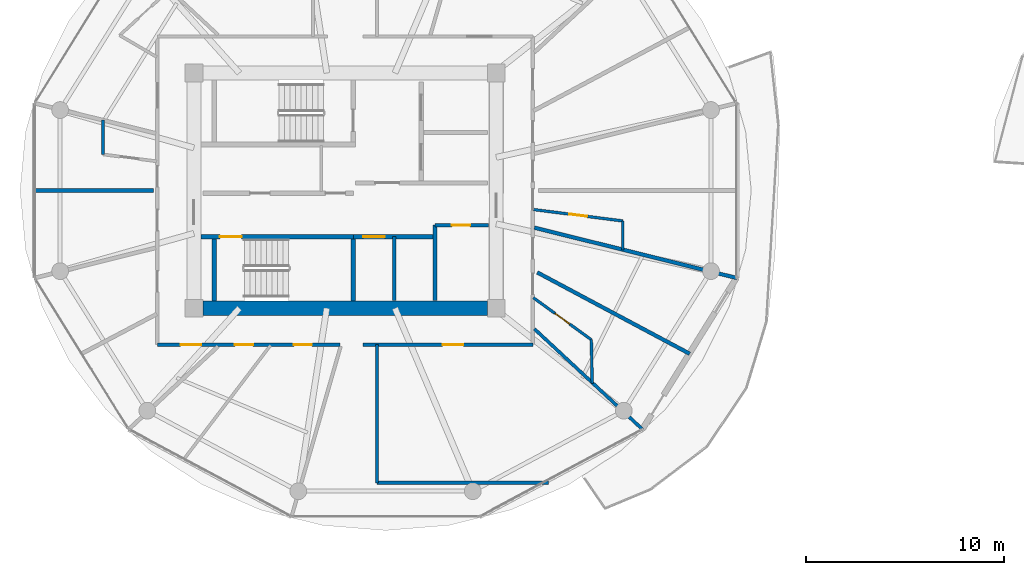
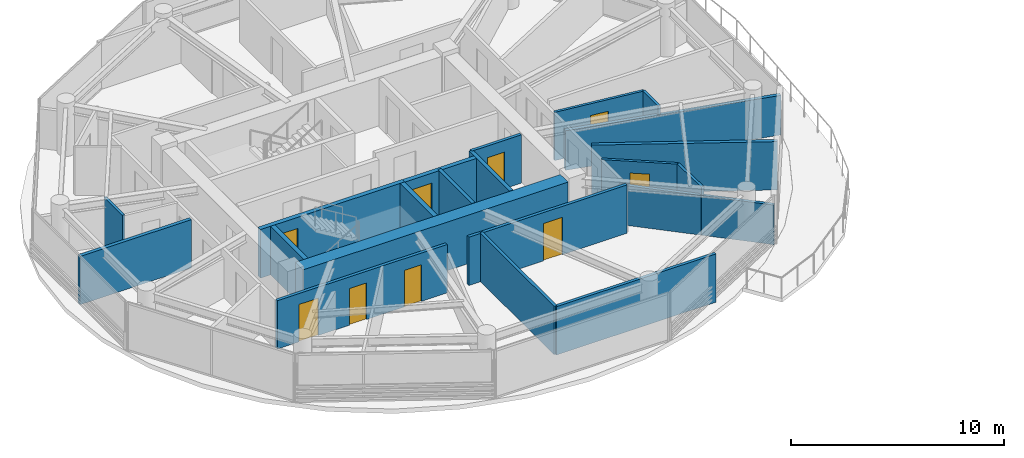
# One storey, part 13 of 22: 21 walls, 9 doors, 9 openings.
"""IFC4 building model written with IfcOpenShell, lengths in metres."""

from ifc_helpers import new_model, si_unit, direction, frame, frame_2d, origin, place, context, subcontext, project, spatial, rectangle, extrude, source, transform, mapped, material, layer, layer_set, type_object, type_shapes, element, fill, save


model = new_model("IFC4")

# Units and contexts
model_context = context("Model", 3, precision=1e-05, world=origin(), true_north=direction((0.0, 1.0)))
body_context = subcontext(model_context, "Body", "Model", "MODEL_VIEW")
ifc_project = project(units=[si_unit("LENGTHUNIT", "METRE"), si_unit("AREAUNIT", "SQUARE_METRE"), si_unit("VOLUMEUNIT", "CUBIC_METRE"), si_unit("PLANEANGLEUNIT", "RADIAN"), si_unit("MASSUNIT", "GRAM", prefix="KILO")], contexts=[model_context])

# Site, building, storey
site_placement = place(None, origin())
site = spatial("IfcSite", under=ifc_project, at=site_placement, CompositionType="ELEMENT")
building_placement = place(site_placement, origin())
building = spatial("IfcBuilding", under=site, at=building_placement, Name="Norrkilde Senior Care Towers", CompositionType="ELEMENT")
storey_placement = place(building_placement, frame((0.0, 0.0, 120.64990234375)))
storey = spatial("IfcBuildingStorey", under=building, at=storey_placement, Name="L37", CompositionType="ELEMENT", Elevation=120.64990234375)

# Walls
ifc_material_1 = material(Name="Concrete C60/75", Category="concrete")
ifc_layer_1 = layer(ifc_material_1, 0.719970703125)
ifc_layer_set_1 = layer_set([ifc_layer_1], Name="Concrete C60/75")
wall_type_1 = type_object("IfcWallType", Name="Core Shear Wall Z2 720", PredefinedType="SHEAR", material=ifc_layer_set_1)
shared_shape_1 = source(origin(), body_context, "Body", "SweptSolid", [
    extrude(rectangle(XDim=14.39990234375, YDim=0.719970703125, at=frame_2d((7.199951171875, 0.0))), origin(), (0.0, 0.0, 1.0), 2.7900390625),
])
type_shapes(wall_type_1, [shared_shape_1])
wall_1_placement = place(storey_placement, frame((-20.800048828125, -5.949951171875, 0.0), z_axis=(0.0, 0.0, 1.0), x_axis=(-1.0, 0.0, 0.0)))
element("IfcWall", 1, at=wall_1_placement, inside=storey, type_object=wall_type_1, Name="L37 Core W South Shear Wall", PredefinedType="SHEAR", context=body_context, shape_type="MappedRepresentation", body=[
    mapped(shared_shape_1, transform((0.0, 0.0, 0.0), x_axis=(1.0, 0.0, 0.0), y_axis=(0.0, 1.0, 0.0), z_axis=(0.0, 0.0, 1.0), scale=1.0)),
])
ifc_material_2 = material(Name="Concrete C45/55", Category="concrete")
ifc_layer_2 = layer(ifc_material_2, 0.199951171875)
ifc_layer_set_2 = layer_set([ifc_layer_2], Name="Concrete C45/55")
wall_type_2 = type_object("IfcWallType", Name="Shaft Division and Plant Partition 200", PredefinedType="PARTITIONING", material=ifc_layer_set_2)
shared_shape_2 = source(origin(), body_context, "Body", "SweptSolid", [
    extrude(rectangle(XDim=3.800048828125, YDim=0.199951171875, at=frame_2d((1.89990234375, 0.0))), origin(), (0.0, 0.0, 1.0), 2.775146484375),
])
type_shapes(wall_type_2, [shared_shape_2])
wall_2_placement = place(storey_placement, frame((-23.449951171875, -5.550048828125, 0.0), z_axis=(0.0, 0.0, 1.0), x_axis=(0.0, 1.0, 0.0)))
element("IfcWall", 2, at=wall_2_placement, inside=storey, type_object=wall_type_2, Name="WL-INT-L37-W-PKBE", PredefinedType="PARTITIONING", context=body_context, shape_type="MappedRepresentation", body=[
    mapped(shared_shape_2, transform((0.0, 0.0, 0.0), x_axis=(1.0, 0.0, 0.0), y_axis=(0.0, 1.0, 0.0), z_axis=(0.0, 0.0, 1.0), scale=1.0)),
])

# Wall, opening, door
ifc_layer_3 = layer(ifc_material_2, 0.239990234375)
ifc_layer_set_3 = layer_set([ifc_layer_3], Name="Concrete C45/55")
wall_type_3 = type_object("IfcWallType", Name="Lift and Plant Rated Enclosure Partition 240", PredefinedType="PARTITIONING", material=ifc_layer_set_3)
shared_shape_3 = source(origin(), body_context, "Body", "SweptSolid", [
    extrude(rectangle(XDim=4.130126953125, YDim=0.239990234375, at=frame_2d((2.06494140625, 0.0))), origin(), (0.0, 0.0, 1.0), 2.775146484375),
])
type_shapes(wall_type_3, [shared_shape_3])
wall_3_placement = place(storey_placement, frame((-27.580078125, -2.330078125, 0.0), z_axis=(0.0, 0.0, 1.0), x_axis=(1.0, 0.0, 0.0)))
wall_3 = element("IfcWall", 3, at=wall_3_placement, inside=storey, type_object=wall_type_3, Name="WL-INT-L37-W-PKBN", PredefinedType="PARTITIONING", context=body_context, shape_type="MappedRepresentation", body=[
    mapped(shared_shape_3, transform((0.0, 0.0, 0.0), x_axis=(1.0, 0.0, 0.0), y_axis=(0.0, 1.0, 0.0), z_axis=(0.0, 0.0, 1.0), scale=1.0)),
])
opening_1_placement = place(wall_3_placement, frame((0.5, 0.0, 0.0)))
opening_1 = element("IfcOpeningElement", 4, at=opening_1_placement, cuts=wall_3, Name="Opening LD-01", PredefinedType="OPENING", context=body_context, shape_type="SweptSolid", body=[
    extrude(rectangle(XDim=1.10009765625, YDim=2.199951171875, at=frame_2d((0.550048828125, 1.10009765625))), frame((0.0, 0.1298828125, 0.0), z_axis=(0.0, -1.0, 0.0), x_axis=(1.0, 0.0, 0.0)), (0.0, 0.0, 1.0), 0.260009765625),
])
ifc_material_3 = material(Name="Stainless Steel", Category="steel")
door_type_1 = type_object("IfcDoorType", Name="Lift Landing Sliding Door 1100x2200", OperationType="NOTDEFINED", PredefinedType="DOOR", material=ifc_material_3)
shared_shape_4 = source(origin(), body_context, "Body", "SweptSolid", [
    extrude(rectangle(XDim=1.10009765625, YDim=2.199951171875, at=frame_2d((0.550048828125, 1.10009765625))), frame((0.0, 0.02490234375, 0.0), z_axis=(0.0, -1.0, 0.0), x_axis=(1.0, 0.0, 0.0)), (0.0, 0.0, 1.0), 0.050048828125),
])
type_shapes(door_type_1, [shared_shape_4])
door_1_placement = place(opening_1_placement, frame((1.10009765625, 0.0, 0.0), z_axis=(0.0, 0.0, 1.0), x_axis=(-1.0, 0.0, 0.0)))
door_1 = element("IfcDoor", 5, at=door_1_placement, inside=storey, type_object=door_type_1, Name="L37 Passenger Lift W3 Landing Door", OperationType="SLIDING_TO_LEFT", OverallHeight=2.199951171875, OverallWidth=1.10009765625, PredefinedType="DOOR", context=body_context, shape_type="MappedRepresentation", body=[
    mapped(shared_shape_4, transform((0.0, 0.0, 0.0), x_axis=(1.0, 0.0, 0.0), y_axis=(0.0, 1.0, 0.0), z_axis=(0.0, 0.0, 1.0), scale=1.0)),
])
fill(opening_1, door_1)

# Wall
ifc_layer_4 = layer(ifc_material_2, 0.179931640625)
ifc_layer_set_4 = layer_set([ifc_layer_4], Name="Concrete C45/55")
wall_type_4 = type_object("IfcWallType", Name="Hoistway Division Rated Partition 180", PredefinedType="PARTITIONING", material=ifc_layer_set_4)
shared_shape_5 = source(origin(), body_context, "Body", "SweptSolid", [
    extrude(rectangle(XDim=3.219970703125, YDim=0.179931640625, at=frame_2d((1.60986328125, 0.0))), origin(), (0.0, 0.0, 1.0), 2.775146484375),
])
type_shapes(wall_type_4, [shared_shape_5])
wall_4_placement = place(storey_placement, frame((-25.5, -5.550048828125, 0.0), z_axis=(0.0, 0.0, 1.0), x_axis=(0.0, 1.0, 0.0)))
element("IfcWall", 6, at=wall_4_placement, inside=storey, type_object=wall_type_4, Name="WL-INT-L37-W-PL34", PredefinedType="PARTITIONING", context=body_context, shape_type="MappedRepresentation", body=[
    mapped(shared_shape_5, transform((0.0, 0.0, 0.0), x_axis=(1.0, 0.0, 0.0), y_axis=(0.0, 1.0, 0.0), z_axis=(0.0, 0.0, 1.0), scale=1.0)),
])

# Wall, opening, door
ifc_material_4 = material(Name="Gypsum Acoustic Board")
ifc_layer_5 = layer(ifc_material_4, 0.1650390625)
ifc_layer_set_5 = layer_set([ifc_layer_5], Name="Gypsum Acoustic Board")
wall_type_5 = type_object("IfcWallType", Name="Corridor Rated Partition 165", PredefinedType="PARTITIONING", material=ifc_layer_set_5)
shared_shape_6 = source(origin(), body_context, "Body", "SweptSolid", [
    extrude(rectangle(XDim=2.699951171875, YDim=0.1650390625, at=frame_2d((1.35009765625, 0.0))), origin(), (0.0, 0.0, 1.0), 2.775146484375),
])
wall_5_placement = place(storey_placement, frame((-23.449951171875, -1.75, 0.0), z_axis=(0.0, 0.0, 1.0), x_axis=(1.0, 0.0, 0.0)))
wall_5 = element("IfcWall", 7, at=wall_5_placement, inside=storey, type_object=wall_type_5, Name="WL-INT-L37-W-CSN", PredefinedType="PARTITIONING", context=body_context, shape_type="MappedRepresentation", body=[
    mapped(shared_shape_6, transform((0.0, 0.0, 0.0), x_axis=(1.0, 0.0, 0.0), y_axis=(0.0, 1.0, 0.0), z_axis=(0.0, 0.0, 1.0), scale=1.0)),
])
opening_2_placement = place(wall_5_placement, frame((0.85009765625, 0.0, 0.0)))
opening_2 = element("IfcOpeningElement", 8, at=opening_2_placement, cuts=wall_5, Name="Opening D-12", PredefinedType="OPENING", context=body_context, shape_type="SweptSolid", body=[
    extrude(rectangle(XDim=0.925048828125, YDim=2.10009765625, at=frame_2d((0.46240234375, 1.050048828125))), frame((0.0, 0.092529296875, 0.0), z_axis=(0.0, -1.0, 0.0), x_axis=(1.0, 0.0, 0.0)), (0.0, 0.0, 1.0), 0.18505859375),
])
ifc_material_5 = material(Name="Galvanised Painted Steel", Category="steel")
door_type_2 = type_object("IfcDoorType", Name="Core Wet Room Rated Door 925x2100", OperationType="NOTDEFINED", PredefinedType="DOOR", material=ifc_material_5)
shared_shape_7 = source(origin(), body_context, "Body", "SweptSolid", [
    extrude(rectangle(XDim=0.925048828125, YDim=2.10009765625, at=frame_2d((0.46240234375, 1.050048828125))), frame((0.0, 0.02490234375, 0.0), z_axis=(0.0, -1.0, 0.0), x_axis=(1.0, 0.0, 0.0)), (0.0, 0.0, 1.0), 0.050048828125),
])
type_shapes(door_type_2, [shared_shape_7])
door_2_placement = place(opening_2_placement, origin())
door_2 = element("IfcDoor", 9, at=door_2_placement, inside=storey, type_object=door_type_2, Name="L37 Core Utility W Door", OperationType="SINGLE_SWING_LEFT", OverallHeight=2.10009765625, OverallWidth=0.925048828125, PredefinedType="DOOR", context=body_context, shape_type="MappedRepresentation", body=[
    mapped(shared_shape_7, transform((0.0, 0.0, 0.0), x_axis=(1.0, 0.0, 0.0), y_axis=(0.0, 1.0, 0.0), z_axis=(0.0, 0.0, 1.0), scale=1.0)),
])
fill(opening_2, door_2)

ifc_layer_6 = layer(ifc_material_2, 0.239990234375)
ifc_layer_set_6 = layer_set([ifc_layer_6], Name="Concrete C45/55")
wall_type_6 = type_object("IfcWallType", Name="Shaft and Stair Enclosure Wall 240", PredefinedType="PARTITIONING", material=ifc_layer_set_6)
shared_shape_8 = source(origin(), body_context, "Body", "SweptSolid", [
    extrude(rectangle(XDim=7.830078125, YDim=0.239990234375, at=frame_2d((3.9150390625, 0.0))), origin(), (0.0, 0.0, 1.0), 2.7900390625),
])
wall_6_placement = place(storey_placement, frame((-35.2900390625, -2.330078125, 0.0), z_axis=(0.0, 0.0, 1.0), x_axis=(1.0, 0.0, 0.0)))
wall_6 = element("IfcWall", 10, at=wall_6_placement, inside=storey, type_object=wall_type_6, Name="WL-INT-L37-W-ST2N", PredefinedType="PARTITIONING", context=body_context, shape_type="MappedRepresentation", body=[
    mapped(shared_shape_8, transform((0.0, 0.0, 0.0), x_axis=(1.0, 0.0, 0.0), y_axis=(0.0, 1.0, 0.0), z_axis=(0.0, 0.0, 1.0), scale=1.0)),
])
opening_3_placement = place(wall_6_placement, frame((0.949951171875, 0.0, 0.0)))
opening_3 = element("IfcOpeningElement", 11, at=opening_3_placement, cuts=wall_6, Name="Opening D-03", PredefinedType="OPENING", context=body_context, shape_type="SweptSolid", body=[
    extrude(rectangle(XDim=1.10009765625, YDim=2.14990234375, at=frame_2d((0.550048828125, 1.074951171875))), frame((0.0, 0.1298828125, 0.0), z_axis=(0.0, -1.0, 0.0), x_axis=(1.0, 0.0, 0.0)), (0.0, 0.0, 1.0), 0.260009765625),
])
door_type_3 = type_object("IfcDoorType", Name="Stairwell Protected Fire Door 1100x2150", OperationType="NOTDEFINED", PredefinedType="DOOR", material=ifc_material_5)
shared_shape_9 = source(origin(), body_context, "Body", "SweptSolid", [
    extrude(rectangle(XDim=1.10009765625, YDim=2.14990234375, at=frame_2d((0.550048828125, 1.074951171875))), frame((0.0, 0.02490234375, 0.0), z_axis=(0.0, -1.0, 0.0), x_axis=(1.0, 0.0, 0.0)), (0.0, 0.0, 1.0), 0.050048828125),
])
type_shapes(door_type_3, [shared_shape_9])
door_3_placement = place(opening_3_placement, frame((1.10009765625, 0.0, 0.0), z_axis=(0.0, 0.0, 1.0), x_axis=(-1.0, 0.0, 0.0)))
door_3 = element("IfcDoor", 12, at=door_3_placement, inside=storey, type_object=door_type_3, Name="L37 Stair W2 Fire Door", OperationType="SINGLE_SWING_RIGHT", OverallHeight=2.14990234375, OverallWidth=1.10009765625, PredefinedType="DOOR", context=body_context, shape_type="MappedRepresentation", body=[
    mapped(shared_shape_9, transform((0.0, 0.0, 0.0), x_axis=(1.0, 0.0, 0.0), y_axis=(0.0, 1.0, 0.0), z_axis=(0.0, 0.0, 1.0), scale=1.0)),
])
fill(opening_3, door_3)

# Walls
shared_shape_10 = source(origin(), body_context, "Body", "SweptSolid", [
    extrude(rectangle(XDim=3.14013671875, YDim=0.239990234375, at=frame_2d((1.570068359375, 0.0))), origin(), (0.0, 0.0, 1.0), 2.7900390625),
])
type_shapes(wall_type_6, [shared_shape_8, shared_shape_10])
for number, where, z_axis, x_axis, name in (
    (13, (-34.6201171875, -5.590087890625, 0.0), (0.0, 0.0, 1.0), (0.0, 1.0, 0.0), "WL-INT-L37-W-ST2W"),
    (14, (-27.580078125, -5.590087890625, 0.0), (0.0, 0.0, 1.0), (0.0, 1.0, 0.0), "WL-INT-L37-W-ST2E"),
):
    element("IfcWall", number, at=place(storey_placement, frame(where, z_axis=z_axis, x_axis=x_axis)), inside=storey, type_object=wall_type_6, Name=name, PredefinedType="PARTITIONING", context=body_context, shape_type="MappedRepresentation", body=[
        mapped(shared_shape_10, transform((0.0, 0.0, 0.0), x_axis=(1.0, 0.0, 0.0), y_axis=(0.0, 1.0, 0.0), z_axis=(0.0, 0.0, 1.0), scale=1.0)),
    ])
ifc_layer_7 = layer(ifc_material_4, 0.18994140625)
ifc_layer_set_7 = layer_set([ifc_layer_7], Name="Gypsum Acoustic Board")
wall_type_7 = type_object("IfcWallType", Name="Unit Demising Acoustic Wall 190", PredefinedType="PARTITIONING", material=ifc_layer_set_7)
shared_shape_11 = source(origin(), body_context, "Body", "SweptSolid", [
    extrude(rectangle(XDim=10.5556640625, YDim=0.18994140625, at=frame_2d((5.27783203125, 0.0))), origin(), (0.0, 0.0, 1.0), 2.275146484375),
])
wall_7_placement = place(storey_placement, frame((-18.419921875, -1.875, 0.0), z_axis=(0.0, 0.0, 1.0), x_axis=(0.970363857851, -0.241648470667, 0.0)))
element("IfcWall", 15, at=wall_7_placement, inside=storey, type_object=wall_type_7, Name="WL-INT-L37-W-DEM-11-0", PredefinedType="PARTITIONING", context=body_context, shape_type="MappedRepresentation", body=[
    mapped(shared_shape_11, transform((0.0, 0.0, 0.0), x_axis=(1.0, 0.0, 0.0), y_axis=(0.0, 1.0, 0.0), z_axis=(0.0, 0.0, 1.0), scale=1.0)),
])

# Wall, opening, door
shared_shape_12 = source(origin(), body_context, "Body", "SweptSolid", [
    extrude(rectangle(XDim=8.60009765625, YDim=0.1650390625, at=frame_2d((4.300048828125, 0.0))), origin(), (0.0, 0.0, 1.0), 2.775146484375),
])
wall_8_placement = place(storey_placement, frame((-18.5, -7.800048828125, 0.0), z_axis=(0.0, 0.0, 1.0), x_axis=(-1.0, 0.0, 0.0)))
wall_8 = element("IfcWall", 16, at=wall_8_placement, inside=storey, type_object=wall_type_5, Name="WL-INT-L37-W-CRW-S-0", PredefinedType="PARTITIONING", context=body_context, shape_type="MappedRepresentation", body=[
    mapped(shared_shape_12, transform((0.0, 0.0, 0.0), x_axis=(1.0, 0.0, 0.0), y_axis=(0.0, 1.0, 0.0), z_axis=(0.0, 0.0, 1.0), scale=1.0)),
])
opening_4_placement = place(wall_8_placement, frame((3.509033203125, 0.0, 0.0)))
opening_4 = element("IfcOpeningElement", 17, at=opening_4_placement, cuts=wall_8, Name="Opening D-06", PredefinedType="OPENING", context=body_context, shape_type="SweptSolid", body=[
    extrude(rectangle(XDim=1.050048828125, YDim=2.14990234375, at=frame_2d((0.52490234375, 1.074951171875))), frame((0.0, 0.092529296875, 0.0), z_axis=(0.0, -1.0, 0.0), x_axis=(1.0, 0.0, 0.0)), (0.0, 0.0, 1.0), 0.18505859375),
])
ifc_material_6 = material(Name="Nordic Ash Timber", Category="wood")
door_type_4 = type_object("IfcDoorType", Name="Apartment Entrance Fire Door 1050x2150", OperationType="NOTDEFINED", PredefinedType="DOOR", material=ifc_material_6)
shared_shape_13 = source(origin(), body_context, "Body", "SweptSolid", [
    extrude(rectangle(XDim=1.050048828125, YDim=2.14990234375, at=frame_2d((0.52490234375, 1.074951171875))), frame((0.0, 0.02490234375, 0.0), z_axis=(0.0, -1.0, 0.0), x_axis=(1.0, 0.0, 0.0)), (0.0, 0.0, 1.0), 0.050048828125),
])
type_shapes(door_type_4, [shared_shape_13])
door_4_placement = place(opening_4_placement, frame((1.050048828125, 0.0, 0.0), z_axis=(0.0, 0.0, 1.0), x_axis=(-1.0, 0.0, 0.0)))
door_4 = element("IfcDoor", 18, at=door_4_placement, inside=storey, type_object=door_type_4, Name="L37 Reading Lounge SEL Door", OperationType="SINGLE_SWING_RIGHT", OverallHeight=2.14990234375, OverallWidth=1.050048828125, PredefinedType="DOOR", context=body_context, shape_type="MappedRepresentation", body=[
    mapped(shared_shape_13, transform((0.0, 0.0, 0.0), x_axis=(1.0, 0.0, 0.0), y_axis=(0.0, 1.0, 0.0), z_axis=(0.0, 0.0, 1.0), scale=1.0)),
])
fill(opening_4, door_4)

# Wall, openings, doors
shared_shape_14 = source(origin(), body_context, "Body", "SweptSolid", [
    extrude(rectangle(XDim=9.234130859375, YDim=0.1650390625, at=frame_2d((4.6171875, 0.0))), origin(), (0.0, 0.0, 1.0), 2.775146484375),
])
wall_9_placement = place(storey_placement, frame((-28.265869140625, -7.800048828125, 0.0), z_axis=(0.0, 0.0, 1.0), x_axis=(-1.0, 0.0, 0.0)))
wall_9 = element("IfcWall", 19, at=wall_9_placement, inside=storey, type_object=wall_type_5, Name="WL-INT-L37-W-CRW-S-1", PredefinedType="PARTITIONING", context=body_context, shape_type="MappedRepresentation", body=[
    mapped(shared_shape_14, transform((0.0, 0.0, 0.0), x_axis=(1.0, 0.0, 0.0), y_axis=(0.0, 1.0, 0.0), z_axis=(0.0, 0.0, 1.0), scale=1.0)),
])
opening_5_placement = place(wall_9_placement, frame((7.009033203125, 0.0, 0.0)))
opening_5 = element("IfcOpeningElement", 20, at=opening_5_placement, cuts=wall_9, Name="Opening D-06", PredefinedType="OPENING", context=body_context, shape_type="SweptSolid", body=[
    extrude(rectangle(XDim=1.050048828125, YDim=2.14990234375, at=frame_2d((0.52490234375, 1.074951171875))), frame((0.0, 0.092529296875, 0.0), z_axis=(0.0, -1.0, 0.0), x_axis=(1.0, 0.0, 0.0)), (0.0, 0.0, 1.0), 0.18505859375),
])
opening_6_placement = place(wall_9_placement, frame((4.39208984375, 0.0, 0.0)))
opening_6 = element("IfcOpeningElement", 21, at=opening_6_placement, cuts=wall_9, Name="Opening D-08", PredefinedType="OPENING", context=body_context, shape_type="SweptSolid", body=[
    extrude(rectangle(XDim=0.919921875, YDim=2.10009765625, at=frame_2d((0.4599609375, 1.050048828125))), frame((0.0, 0.092529296875, 0.0), z_axis=(0.0, -1.0, 0.0), x_axis=(1.0, 0.0, 0.0)), (0.0, 0.0, 1.0), 0.18505859375),
])
opening_7_placement = place(wall_9_placement, frame((1.407958984375, 0.0, 0.0)))
opening_7 = element("IfcOpeningElement", 22, at=opening_7_placement, cuts=wall_9, Name="Opening D-08", PredefinedType="OPENING", context=body_context, shape_type="SweptSolid", body=[
    extrude(rectangle(XDim=0.919921875, YDim=2.10009765625, at=frame_2d((0.4599609375, 1.050048828125))), frame((0.0, 0.092529296875, 0.0), z_axis=(0.0, -1.0, 0.0), x_axis=(1.0, 0.0, 0.0)), (0.0, 0.0, 1.0), 0.18505859375),
])
door_type_5 = type_object("IfcDoorType", Name="Accessible Wet Room Door 920x2100", OperationType="NOTDEFINED", PredefinedType="DOOR", material=ifc_material_6)
shared_shape_15 = source(origin(), body_context, "Body", "SweptSolid", [
    extrude(rectangle(XDim=0.919921875, YDim=2.10009765625, at=frame_2d((0.4599609375, 1.050048828125))), frame((0.0, 0.02490234375, 0.0), z_axis=(0.0, -1.0, 0.0), x_axis=(1.0, 0.0, 0.0)), (0.0, 0.0, 1.0), 0.050048828125),
])
type_shapes(door_type_5, [shared_shape_15])
door_5_placement = place(opening_6_placement, frame((0.919921875, 0.0, 0.0), z_axis=(0.0, 0.0, 1.0), x_axis=(-1.0, 0.0, 0.0)))
door_5 = element("IfcDoor", 23, at=door_5_placement, inside=storey, type_object=door_type_5, Name="L37 Accessible Restroom Door", OperationType="SINGLE_SWING_RIGHT", OverallHeight=2.10009765625, OverallWidth=0.919921875, PredefinedType="DOOR", context=body_context, shape_type="MappedRepresentation", body=[
    mapped(shared_shape_15, transform((0.0, 0.0, 0.0), x_axis=(1.0, 0.0, 0.0), y_axis=(0.0, 1.0, 0.0), z_axis=(0.0, 0.0, 1.0), scale=1.0)),
])
fill(opening_6, door_5)
door_6_placement = place(opening_7_placement, frame((0.919921875, 0.0, 0.0), z_axis=(0.0, 0.0, 1.0), x_axis=(-1.0, 0.0, 0.0)))
door_6 = element("IfcDoor", 24, at=door_6_placement, inside=storey, type_object=door_type_5, Name="L37 Public Restroom Door", OperationType="SINGLE_SWING_LEFT", OverallHeight=2.10009765625, OverallWidth=0.919921875, PredefinedType="DOOR", context=body_context, shape_type="MappedRepresentation", body=[
    mapped(shared_shape_15, transform((0.0, 0.0, 0.0), x_axis=(1.0, 0.0, 0.0), y_axis=(0.0, 1.0, 0.0), z_axis=(0.0, 0.0, 1.0), scale=1.0)),
])
fill(opening_7, door_6)
door_7_placement = place(opening_5_placement, frame((1.050048828125, 0.0, 0.0), z_axis=(0.0, 0.0, 1.0), x_axis=(-1.0, 0.0, 0.0)))
door_7 = element("IfcDoor", 25, at=door_7_placement, inside=storey, type_object=door_type_4, Name="L37 Assessment Clinic 6B Door", OperationType="SINGLE_SWING_RIGHT", OverallHeight=2.14990234375, OverallWidth=1.050048828125, PredefinedType="DOOR", context=body_context, shape_type="MappedRepresentation", body=[
    mapped(shared_shape_13, transform((0.0, 0.0, 0.0), x_axis=(1.0, 0.0, 0.0), y_axis=(0.0, 1.0, 0.0), z_axis=(0.0, 0.0, 1.0), scale=1.0)),
])
fill(opening_5, door_7)

# Walls
shared_shape_16 = source(origin(), body_context, "Body", "SweptSolid", [
    extrude(rectangle(XDim=7.482177734375, YDim=0.1650390625, at=frame_2d((3.7412109375, 0.0))), origin(), (0.0, 0.0, 1.0), 2.275146484375),
])
wall_10_placement = place(storey_placement, frame((-18.419921875, -6.998046875, 0.0), z_axis=(0.0, 0.0, 1.0), x_axis=(0.732508698043, -0.680757671489, 0.0)))
element("IfcWall", 26, at=wall_10_placement, inside=storey, type_object=wall_type_5, Name="WL-INT-L37-W-DEM-10-0", PredefinedType="PARTITIONING", context=body_context, shape_type="MappedRepresentation", body=[
    mapped(shared_shape_16, transform((0.0, 0.0, 0.0), x_axis=(1.0, 0.0, 0.0), y_axis=(0.0, 1.0, 0.0), z_axis=(0.0, 0.0, 1.0), scale=1.0)),
])
shared_shape_17 = source(origin(), body_context, "Body", "SweptSolid", [
    extrude(rectangle(XDim=8.744384765625, YDim=0.18994140625, at=frame_2d((4.3720703125, 0.0))), origin(), (0.0, 0.0, 1.0), 2.775146484375),
])
wall_11_placement = place(storey_placement, frame((-18.27294921875, -4.141845703125, 0.0), z_axis=(0.0, 0.0, 1.0), x_axis=(0.882252449936, -0.470776607938, 0.0)))
element("IfcWall", 27, at=wall_11_placement, inside=storey, type_object=wall_type_7, Name="WL-INT-L37-W-CMID-10", PredefinedType="PARTITIONING", context=body_context, shape_type="MappedRepresentation", body=[
    mapped(shared_shape_17, transform((0.0, 0.0, 0.0), x_axis=(1.0, 0.0, 0.0), y_axis=(0.0, 1.0, 0.0), z_axis=(0.0, 0.0, 1.0), scale=1.0)),
])

# Wall, opening, door
ifc_layer_8 = layer(ifc_material_4, 0.139892578125)
ifc_layer_set_8 = layer_set([ifc_layer_8], Name="Gypsum Acoustic Board")
wall_type_8 = type_object("IfcWallType", Name="En-suite Wet Room Wall 140", PredefinedType="PARTITIONING", material=ifc_layer_set_8)
shared_shape_18 = source(origin(), body_context, "Body", "SweptSolid", [
    extrude(rectangle(XDim=3.621337890625, YDim=0.139892578125, at=frame_2d((1.810546875, 0.0))), origin(), (0.0, 0.0, 1.0), 2.775146484375),
])
wall_12_placement = place(storey_placement, frame((-18.469970703125, -5.421875, 0.0), z_axis=(0.0, 0.0, 1.0), x_axis=(0.80968252222, -0.586868139544, 0.0)))
wall_12 = element("IfcWall", 28, at=wall_12_placement, inside=storey, type_object=wall_type_8, Name="WL-INT-L37-W-ES-10A", PredefinedType="PARTITIONING", context=body_context, shape_type="MappedRepresentation", body=[
    mapped(shared_shape_18, transform((0.0, 0.0, 0.0), x_axis=(1.0, 0.0, 0.0), y_axis=(0.0, 1.0, 0.0), z_axis=(0.0, 0.0, 1.0), scale=1.0)),
])
opening_8_placement = place(wall_12_placement, frame((1.3505859375, 0.0, 0.0)))
opening_8 = element("IfcOpeningElement", 29, at=opening_8_placement, cuts=wall_12, Name="Opening D-08", PredefinedType="OPENING", context=body_context, shape_type="SweptSolid", body=[
    extrude(rectangle(XDim=0.919921875, YDim=2.10009765625, at=frame_2d((0.4599609375, 1.050048828125))), frame((0.0, 0.079833984375, 0.0), z_axis=(0.0, -1.0, 0.0), x_axis=(1.0, 0.0, 0.0)), (0.0, 0.0, 1.0), 0.159912109375),
])
door_8_placement = place(opening_8_placement, origin())
door_8 = element("IfcDoor", 30, at=door_8_placement, inside=storey, type_object=door_type_5, Name="L37 Care Suite 3710A Bathroom Door", OperationType="SINGLE_SWING_RIGHT", OverallHeight=2.10009765625, OverallWidth=0.919921875, PredefinedType="DOOR", context=body_context, shape_type="MappedRepresentation", body=[
    mapped(shared_shape_15, transform((0.0, 0.0, 0.0), x_axis=(1.0, 0.0, 0.0), y_axis=(0.0, 1.0, 0.0), z_axis=(0.0, 0.0, 1.0), scale=1.0)),
])
fill(opening_8, door_8)

# Wall
shared_shape_19 = source(origin(), body_context, "Body", "SweptSolid", [
    extrude(rectangle(XDim=2.224853515625, YDim=0.139892578125, at=frame_2d((1.1123046875, 0.0))), origin(), (0.0, 0.0, 1.0), 2.775146484375),
])
wall_13_placement = place(storey_placement, frame((-15.537841796875, -7.547119140625, 0.0), z_axis=(0.0, 0.0, 1.0), x_axis=(0.019971869027, -0.999800542332, 0.0)))
element("IfcWall", 31, at=wall_13_placement, inside=storey, type_object=wall_type_8, Name="WL-INT-L37-W-EF-10A", PredefinedType="PARTITIONING", context=body_context, shape_type="MappedRepresentation", body=[
    mapped(shared_shape_19, transform((0.0, 0.0, 0.0), x_axis=(1.0, 0.0, 0.0), y_axis=(0.0, 1.0, 0.0), z_axis=(0.0, 0.0, 1.0), scale=1.0)),
])

# Wall, opening, door
shared_shape_20 = source(origin(), body_context, "Body", "SweptSolid", [
    extrude(rectangle(XDim=4.562255859375, YDim=0.139892578125, at=frame_2d((2.28125, 0.0))), origin(), (0.0, 0.0, 1.0), 2.775146484375),
])
wall_14_placement = place(storey_placement, frame((-18.469970703125, -0.95751953125, 0.0), z_axis=(0.0, 0.0, 1.0), x_axis=(0.991904666356, -0.126984774129, 0.0)))
wall_14 = element("IfcWall", 32, at=wall_14_placement, inside=storey, type_object=wall_type_8, Name="WL-INT-L37-W-ES-11A", PredefinedType="PARTITIONING", context=body_context, shape_type="MappedRepresentation", body=[
    mapped(shared_shape_20, transform((0.0, 0.0, 0.0), x_axis=(1.0, 0.0, 0.0), y_axis=(0.0, 1.0, 0.0), z_axis=(0.0, 0.0, 1.0), scale=1.0)),
])
opening_9_placement = place(wall_14_placement, frame((1.8212890625, 0.0, 0.0)))
opening_9 = element("IfcOpeningElement", 33, at=opening_9_placement, cuts=wall_14, Name="Opening D-08", PredefinedType="OPENING", context=body_context, shape_type="SweptSolid", body=[
    extrude(rectangle(XDim=0.919921875, YDim=2.10009765625, at=frame_2d((0.4599609375, 1.050048828125))), frame((0.0, 0.079833984375, 0.0), z_axis=(0.0, -1.0, 0.0), x_axis=(1.0, 0.0, 0.0)), (0.0, 0.0, 1.0), 0.159912109375),
])
door_9_placement = place(opening_9_placement, origin())
door_9 = element("IfcDoor", 34, at=door_9_placement, inside=storey, type_object=door_type_5, Name="L37 Care Suite 3711A Bathroom Door", OperationType="SINGLE_SWING_LEFT", OverallHeight=2.10009765625, OverallWidth=0.919921875, PredefinedType="DOOR", context=body_context, shape_type="MappedRepresentation", body=[
    mapped(shared_shape_15, transform((0.0, 0.0, 0.0), x_axis=(1.0, 0.0, 0.0), y_axis=(0.0, 1.0, 0.0), z_axis=(0.0, 0.0, 1.0), scale=1.0)),
])
fill(opening_9, door_9)

# Walls
shared_shape_21 = source(origin(), body_context, "Body", "SweptSolid", [
    extrude(rectangle(XDim=1.4677734375, YDim=0.139892578125, at=frame_2d((0.73388671875, 0.0))), origin(), (0.0, 0.0, 1.0), 2.775146484375),
])
wall_15_placement = place(storey_placement, frame((-13.944580078125, -1.536865234375, 0.0), z_axis=(0.0, 0.0, 1.0), x_axis=(-0.00399198416, -0.999992031999, 0.0)))
element("IfcWall", 35, at=wall_15_placement, inside=storey, type_object=wall_type_8, Name="WL-INT-L37-W-EF-11A", PredefinedType="PARTITIONING", context=body_context, shape_type="MappedRepresentation", body=[
    mapped(shared_shape_21, transform((0.0, 0.0, 0.0), x_axis=(1.0, 0.0, 0.0), y_axis=(0.0, 1.0, 0.0), z_axis=(0.0, 0.0, 1.0), scale=1.0)),
])
shared_shape_22 = source(origin(), body_context, "Body", "SweptSolid", [
    extrude(rectangle(XDim=6.03857421875, YDim=0.18994140625, at=frame_2d((3.019287109375, 0.0))), origin(), (0.0, 0.0, 1.0), 2.775146484375),
])
type_shapes(wall_type_7, [shared_shape_11, shared_shape_17, shared_shape_22])
wall_16_placement = place(storey_placement, frame((-37.6845703125, 0.0, 0.0), z_axis=(0.0, 0.0, 1.0), x_axis=(-1.0, 0.0, 0.0)))
element("IfcWall", 36, at=wall_16_placement, inside=storey, type_object=wall_type_7, Name="WL-INT-L37-W-CMID-05", PredefinedType="PARTITIONING", context=body_context, shape_type="MappedRepresentation", body=[
    mapped(shared_shape_22, transform((0.0, 0.0, 0.0), x_axis=(1.0, 0.0, 0.0), y_axis=(0.0, 1.0, 0.0), z_axis=(0.0, 0.0, 1.0), scale=1.0)),
])
shared_shape_23 = source(origin(), body_context, "Body", "SweptSolid", [
    extrude(rectangle(XDim=1.7490234375, YDim=0.139892578125, at=frame_2d((0.87451171875, 0.0))), origin(), (0.0, 0.0, 1.0), 2.775146484375),
])
type_shapes(wall_type_8, [shared_shape_18, shared_shape_19, shared_shape_20, shared_shape_21, shared_shape_23])
wall_17_placement = place(storey_placement, frame((-40.25146484375, 1.83056640625, 0.0), z_axis=(0.0, 0.0, 1.0), x_axis=(0.003350064953, 0.999994388517, 0.0)))
element("IfcWall", 37, at=wall_17_placement, inside=storey, type_object=wall_type_8, Name="WL-INT-L37-W-EF-05A", PredefinedType="PARTITIONING", context=body_context, shape_type="MappedRepresentation", body=[
    mapped(shared_shape_23, transform((0.0, 0.0, 0.0), x_axis=(1.0, 0.0, 0.0), y_axis=(0.0, 1.0, 0.0), z_axis=(0.0, 0.0, 1.0), scale=1.0)),
])
shared_shape_24 = source(origin(), body_context, "Body", "SweptSolid", [
    extrude(rectangle(XDim=6.989990234375, YDim=0.1650390625, at=frame_2d((3.4951171875, 0.0))), origin(), (0.0, 0.0, 1.0), 2.775146484375),
])
wall_18_placement = place(storey_placement, frame((-26.3798828125, -14.7900390625, 0.0), z_axis=(0.0, 0.0, 1.0), x_axis=(0.0, 1.0, 0.0)))
element("IfcWall", 38, at=wall_18_placement, inside=storey, type_object=wall_type_5, Name="WL-INT-L37-W-PKW-SEL", PredefinedType="PARTITIONING", context=body_context, shape_type="MappedRepresentation", body=[
    mapped(shared_shape_24, transform((0.0, 0.0, 0.0), x_axis=(1.0, 0.0, 0.0), y_axis=(0.0, 1.0, 0.0), z_axis=(0.0, 0.0, 1.0), scale=1.0)),
])
shared_shape_25 = source(origin(), body_context, "Body", "SweptSolid", [
    extrude(rectangle(XDim=8.66943359375, YDim=0.1650390625, at=frame_2d((4.334716796875, 0.0))), origin(), (0.0, 0.0, 1.0), 2.775146484375),
])
type_shapes(wall_type_5, [shared_shape_6, shared_shape_12, shared_shape_14, shared_shape_16, shared_shape_24, shared_shape_25])
wall_19_placement = place(storey_placement, frame((-26.3798828125, -14.7900390625, 0.0), z_axis=(0.0, 0.0, 1.0), x_axis=(1.0, 0.0, 0.0)))
element("IfcWall", 39, at=wall_19_placement, inside=storey, type_object=wall_type_5, Name="WL-INT-L37-W-PKH-SEL-0", PredefinedType="PARTITIONING", context=body_context, shape_type="MappedRepresentation", body=[
    mapped(shared_shape_25, transform((0.0, 0.0, 0.0), x_axis=(1.0, 0.0, 0.0), y_axis=(0.0, 1.0, 0.0), z_axis=(0.0, 0.0, 1.0), scale=1.0)),
])

save(model, "model.ifc")
